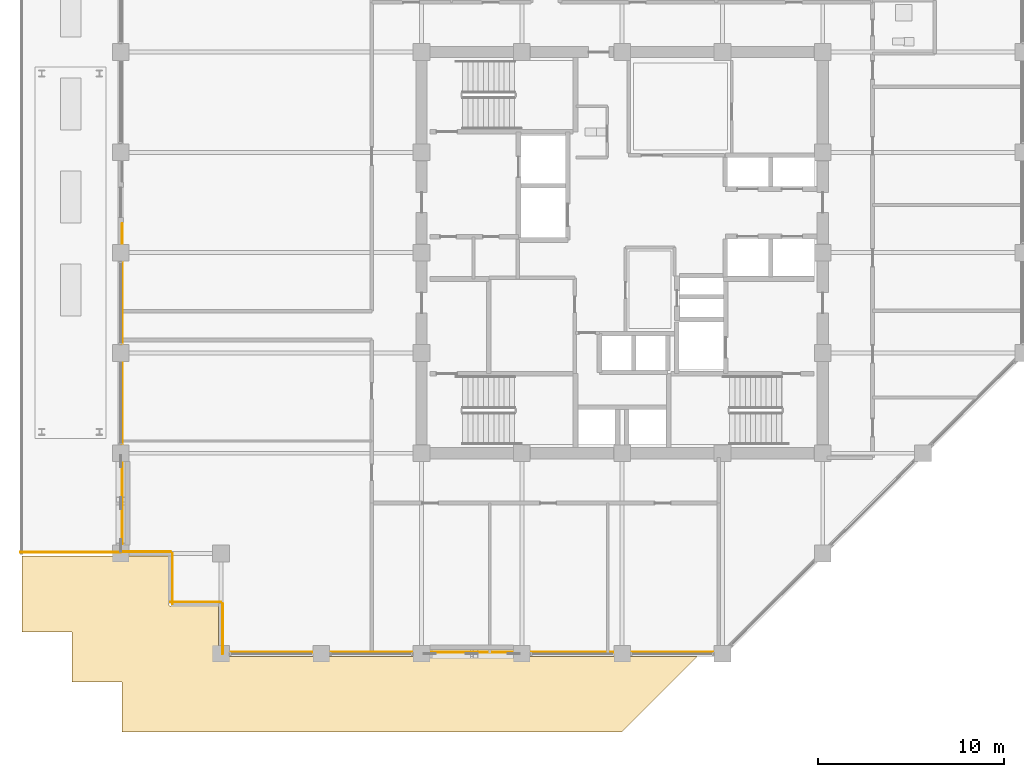
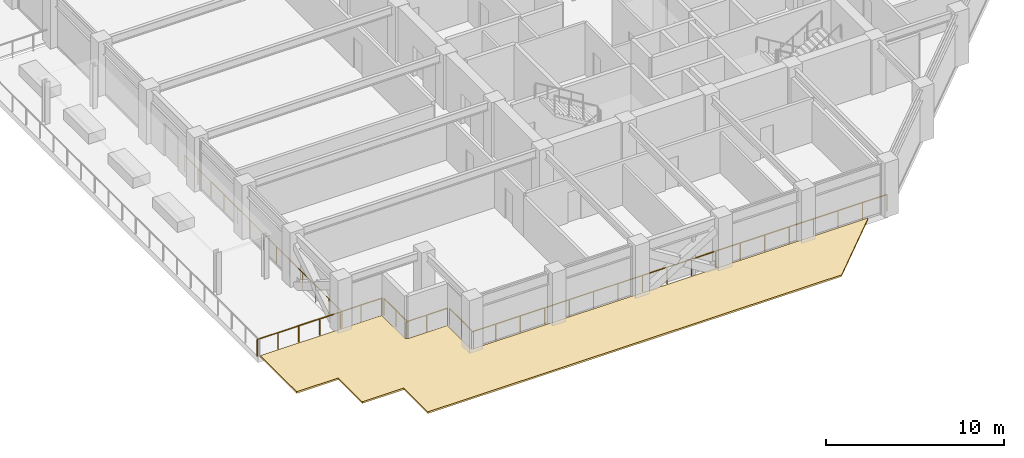
# One storey, part 29 of 36: 7 railings, 1 covering.
"""IFC4 building model written with IfcOpenShell, lengths in metres."""

from ifc_helpers import new_model, si_unit, direction, frame, origin, origin_2d, place, context, subcontext, project, spatial, polyline, circle, outline, extrude, material, layer, layer_set, type_object, element, save


model = new_model("IFC4")

# Units and contexts
model_context = context("Model", 3, precision=1e-05, world=origin(), true_north=direction((0.0, 1.0)))
body_context = subcontext(model_context, "Body", "Model", "MODEL_VIEW")
ifc_project = project(units=[si_unit("LENGTHUNIT", "METRE"), si_unit("AREAUNIT", "SQUARE_METRE"), si_unit("VOLUMEUNIT", "CUBIC_METRE"), si_unit("PLANEANGLEUNIT", "RADIAN"), si_unit("MASSUNIT", "GRAM", prefix="KILO")], contexts=[model_context])

# Site, building, storey
site_placement = place(None, origin())
site = spatial("IfcSite", under=ifc_project, at=site_placement, CompositionType="ELEMENT")
building_placement = place(site_placement, origin())
building = spatial("IfcBuilding", under=site, at=building_placement, Name="Surkhivell Harbour Commons", CompositionType="ELEMENT")
storey_placement = place(building_placement, frame((0.0, 0.0, 171.0)))
storey = spatial("IfcBuildingStorey", under=building, at=storey_placement, Name="L44", CompositionType="ELEMENT", Elevation=171.0)

# Covering
ifc_material_1 = material(Name="Inverted elastomeric waterproofing membrane and rigid insulation", Category="other")
ifc_layer = layer(ifc_material_1, 0.1201171875)
ifc_layer_set = layer_set([ifc_layer], Name="Inverted elastomeric waterproofing membrane and rigid insulation")
covering_type = type_object("IfcCoveringType", Name="COV-ROOF-MEM", PredefinedType="ROOFING", material=ifc_layer_set)
covering_placement = place(storey_placement, origin())
element("IfcCovering", 1, at=covering_placement, inside=storey, type_object=covering_type, Name="L44 Setback Waterproofing Roof Membrane 1-1", PredefinedType="ROOFING", context=body_context, shape_type="SweptSolid", body=[
    extrude(outline(polyline([(-0.033203125, -25.820068359375), (4.056884765625, -21.72998046875), (-21.60205078125, -21.72998046875), (-21.61279296875, -21.7294921875), (-21.62548828125, -21.7275390625), (-21.6376953125, -21.724609375), (-21.64990234375, -21.72021484375), (-21.661376953125, -21.714599609375), (-21.67236328125, -21.708251953125), (-21.6826171875, -21.70068359375), (-21.69189453125, -21.69189453125), (-21.70068359375, -21.6826171875), (-21.708251953125, -21.67236328125), (-21.714599609375, -21.661376953125), (-21.72021484375, -21.64990234375), (-21.724609375, -21.6376953125), (-21.7275390625, -21.62548828125), (-21.7294921875, -21.61279296875), (-21.72998046875, -21.60205078125), (-21.72998046875, -19.030029296875), (-24.302001953125, -19.030029296875), (-24.312744140625, -19.029541015625), (-24.325439453125, -19.027587890625), (-24.337890625, -19.0244140625), (-24.349853515625, -19.020263671875), (-24.361328125, -19.0146484375), (-24.372314453125, -19.00830078125), (-24.382568359375, -19.00048828125), (-24.39208984375, -18.991943359375), (-24.400634765625, -18.982421875), (-24.408203125, -18.972412109375), (-24.414794921875, -18.961181640625), (-24.420166015625, -18.94970703125), (-24.424560546875, -18.937744140625), (-24.427490234375, -18.92529296875), (-24.429443359375, -18.912841796875), (-24.429931640625, -18.902099609375), (-24.429931640625, -16.330078125), (-32.320068359375, -16.330078125), (-32.320068359375, -20.419921875), (-29.6201171875, -20.419921875), (-29.6201171875, -23.1201171875), (-26.919921875, -23.1201171875), (-26.919921875, -25.820068359375), (-0.033203125, -25.820068359375)])), origin(), (0.0, 0.0, 1.0), 0.1201171875),
])

# Railings
ifc_material_2 = material(Name="Laminated safety glass and stainless steel S355 balustrade", Category="steel")
railing_type = type_object("IfcRailingType", Name="RAL-BAL-1150", PredefinedType="BALUSTRADE", material=ifc_material_2)
railing_1_placement = place(storey_placement, frame((-21.60009765625, -21.510009765625, 0.0)))
element("IfcRailing", 2, at=railing_1_placement, inside=storey, type_object=railing_type, Name="L44 Perimeter Safety Guard 01", PredefinedType="BALUSTRADE", context=body_context, shape_type="SweptSolid", body=[
    extrude(circle(Radius=0.02392578125, at=origin_2d()), frame((0.0, 0.0, 1.1259765625), z_axis=(1.0, 0.0, 0.0), x_axis=(0.0, 1.0, 0.0)), (0.0, 0.0, 1.0), 27.0),
    extrude(circle(Radius=0.02099609375, at=origin_2d()), origin(), (0.0, 0.0, 1.0), 1.101806640625),
    extrude(circle(Radius=0.02099609375, at=origin_2d()), frame((1.588134765625, 0.0, 0.0)), (0.0, 0.0, 1.0), 1.101806640625),
    extrude(circle(Radius=0.02099609375, at=origin_2d()), frame((3.176513671875, 0.0, 0.0)), (0.0, 0.0, 1.0), 1.101806640625),
    extrude(circle(Radius=0.02099609375, at=origin_2d()), frame((4.7646484375, 0.0, 0.0)), (0.0, 0.0, 1.0), 1.101806640625),
    extrude(circle(Radius=0.02099609375, at=origin_2d()), frame((6.35302734375, 0.0, 0.0)), (0.0, 0.0, 1.0), 1.101806640625),
    extrude(circle(Radius=0.02099609375, at=origin_2d()), frame((7.941162109375, 0.0, 0.0)), (0.0, 0.0, 1.0), 1.101806640625),
    extrude(circle(Radius=0.02099609375, at=origin_2d()), frame((9.529296875, 0.0, 0.0)), (0.0, 0.0, 1.0), 1.101806640625),
    extrude(circle(Radius=0.02099609375, at=origin_2d()), frame((11.11767578125, 0.0, 0.0)), (0.0, 0.0, 1.0), 1.101806640625),
    extrude(circle(Radius=0.02099609375, at=origin_2d()), frame((12.705810546875, 0.0, 0.0)), (0.0, 0.0, 1.0), 1.101806640625),
    extrude(circle(Radius=0.02099609375, at=origin_2d()), frame((14.294189453125, 0.0, 0.0)), (0.0, 0.0, 1.0), 1.101806640625),
    extrude(circle(Radius=0.02099609375, at=origin_2d()), frame((15.88232421875, 0.0, 0.0)), (0.0, 0.0, 1.0), 1.101806640625),
    extrude(circle(Radius=0.02099609375, at=origin_2d()), frame((17.470703125, 0.0, 0.0)), (0.0, 0.0, 1.0), 1.101806640625),
    extrude(circle(Radius=0.02099609375, at=origin_2d()), frame((19.058837890625, 0.0, 0.0)), (0.0, 0.0, 1.0), 1.101806640625),
    extrude(circle(Radius=0.02099609375, at=origin_2d()), frame((20.64697265625, 0.0, 0.0)), (0.0, 0.0, 1.0), 1.101806640625),
    extrude(circle(Radius=0.02099609375, at=origin_2d()), frame((22.2353515625, 0.0, 0.0)), (0.0, 0.0, 1.0), 1.101806640625),
    extrude(circle(Radius=0.02099609375, at=origin_2d()), frame((23.823486328125, 0.0, 0.0)), (0.0, 0.0, 1.0), 1.101806640625),
    extrude(circle(Radius=0.02099609375, at=origin_2d()), frame((25.411865234375, 0.0, 0.0)), (0.0, 0.0, 1.0), 1.101806640625),
    extrude(circle(Radius=0.02099609375, at=origin_2d()), frame((27.0, 0.0, 0.0)), (0.0, 0.0, 1.0), 1.101806640625),
])
railing_2_placement = place(storey_placement, frame((-26.909912109375, -16.14990234375, 0.0)))
element("IfcRailing", 3, at=railing_2_placement, inside=storey, type_object=railing_type, Name="L44 Perimeter Safety Guard 13A", PredefinedType="BALUSTRADE", context=body_context, shape_type="SweptSolid", body=[
    extrude(circle(Radius=0.02392578125, at=origin_2d()), frame((0.0, 0.0, 1.1259765625), z_axis=(0.0, 1.0, 0.0), x_axis=(-1.0, 0.0, 0.0)), (0.0, 0.0, 1.0), 17.699951171875),
    extrude(circle(Radius=0.02099609375, at=origin_2d()), origin(), (0.0, 0.0, 1.0), 1.101806640625),
    extrude(circle(Radius=0.02099609375, at=origin_2d()), frame((0.0, 1.47509765625, 0.0)), (0.0, 0.0, 1.0), 1.101806640625),
    extrude(circle(Radius=0.02099609375, at=origin_2d()), frame((0.0, 2.949951171875, 0.0)), (0.0, 0.0, 1.0), 1.101806640625),
    extrude(circle(Radius=0.02099609375, at=origin_2d()), frame((0.0, 4.425048828125, 0.0)), (0.0, 0.0, 1.0), 1.101806640625),
    extrude(circle(Radius=0.02099609375, at=origin_2d()), frame((0.0, 5.89990234375, 0.0)), (0.0, 0.0, 1.0), 1.101806640625),
    extrude(circle(Radius=0.02099609375, at=origin_2d()), frame((0.0, 7.375, 0.0)), (0.0, 0.0, 1.0), 1.101806640625),
    extrude(circle(Radius=0.02099609375, at=origin_2d()), frame((0.0, 8.85009765625, 0.0)), (0.0, 0.0, 1.0), 1.101806640625),
    extrude(circle(Radius=0.02099609375, at=origin_2d()), frame((0.0, 10.324951171875, 0.0)), (0.0, 0.0, 1.0), 1.101806640625),
    extrude(circle(Radius=0.02099609375, at=origin_2d()), frame((0.0, 11.800048828125, 0.0)), (0.0, 0.0, 1.0), 1.101806640625),
    extrude(circle(Radius=0.02099609375, at=origin_2d()), frame((0.0, 13.27490234375, 0.0)), (0.0, 0.0, 1.0), 1.101806640625),
    extrude(circle(Radius=0.02099609375, at=origin_2d()), frame((0.0, 14.75, 0.0)), (0.0, 0.0, 1.0), 1.101806640625),
    extrude(circle(Radius=0.02099609375, at=origin_2d()), frame((0.0, 16.224853515625, 0.0)), (0.0, 0.0, 1.0), 1.101806640625),
    extrude(circle(Radius=0.02099609375, at=origin_2d()), frame((0.0, 17.699951171875, 0.0)), (0.0, 0.0, 1.0), 1.101806640625),
])
railing_3_placement = place(storey_placement, frame((-27.0, -16.110107421875, 0.0)))
element("IfcRailing", 4, at=railing_3_placement, inside=storey, type_object=railing_type, Name="L44 Perimeter Safety Guard 14", PredefinedType="BALUSTRADE", context=body_context, shape_type="SweptSolid", body=[
    extrude(circle(Radius=0.02392578125, at=origin_2d()), frame((0.0, 0.0, 1.1259765625), z_axis=(1.0, 0.0, 0.0), x_axis=(0.0, 1.0, 0.0)), (0.0, 0.0, 1.0), 2.699951171875),
    extrude(circle(Radius=0.02099609375, at=origin_2d()), origin(), (0.0, 0.0, 1.0), 1.101806640625),
    extrude(circle(Radius=0.02099609375, at=origin_2d()), frame((1.35009765625, 0.0, 0.0)), (0.0, 0.0, 1.0), 1.101806640625),
    extrude(circle(Radius=0.02099609375, at=origin_2d()), frame((2.699951171875, 0.0, 0.0)), (0.0, 0.0, 1.0), 1.101806640625),
])
railing_4_placement = place(storey_placement, frame((-24.2099609375, -16.199951171875, 0.0)))
element("IfcRailing", 5, at=railing_4_placement, inside=storey, type_object=railing_type, Name="L44 Perimeter Safety Guard 15", PredefinedType="BALUSTRADE", context=body_context, shape_type="SweptSolid", body=[
    extrude(circle(Radius=0.02392578125, at=origin_2d()), frame((0.0, 0.0, 1.1259765625), z_axis=(0.0, -1.0, 0.0), x_axis=(1.0, 0.0, 0.0)), (0.0, 0.0, 1.0), 2.699951171875),
    extrude(circle(Radius=0.02099609375, at=origin_2d()), origin(), (0.0, 0.0, 1.0), 1.101806640625),
    extrude(circle(Radius=0.02099609375, at=origin_2d()), frame((0.0, -1.35009765625, 0.0)), (0.0, 0.0, 1.0), 1.101806640625),
    extrude(circle(Radius=0.02099609375, at=origin_2d()), frame((0.0, -2.699951171875, 0.0)), (0.0, 0.0, 1.0), 1.101806640625),
])
railing_5_placement = place(storey_placement, frame((-24.300048828125, -18.81005859375, 0.0)))
element("IfcRailing", 6, at=railing_5_placement, inside=storey, type_object=railing_type, Name="L44 Perimeter Safety Guard 16", PredefinedType="BALUSTRADE", context=body_context, shape_type="SweptSolid", body=[
    extrude(circle(Radius=0.02392578125, at=origin_2d()), frame((0.0, 0.0, 1.1259765625), z_axis=(1.0, 0.0, 0.0), x_axis=(0.0, 1.0, 0.0)), (0.0, 0.0, 1.0), 2.699951171875),
    extrude(circle(Radius=0.02099609375, at=origin_2d()), origin(), (0.0, 0.0, 1.0), 1.101806640625),
    extrude(circle(Radius=0.02099609375, at=origin_2d()), frame((1.35009765625, 0.0, 0.0)), (0.0, 0.0, 1.0), 1.101806640625),
    extrude(circle(Radius=0.02099609375, at=origin_2d()), frame((2.699951171875, 0.0, 0.0)), (0.0, 0.0, 1.0), 1.101806640625),
])
railing_6_placement = place(storey_placement, frame((-21.510009765625, -18.89990234375, 0.0)))
element("IfcRailing", 7, at=railing_6_placement, inside=storey, type_object=railing_type, Name="L44 Perimeter Safety Guard 17", PredefinedType="BALUSTRADE", context=body_context, shape_type="SweptSolid", body=[
    extrude(circle(Radius=0.02392578125, at=origin_2d()), frame((0.0, 0.0, 1.1259765625), z_axis=(0.0, -1.0, 0.0), x_axis=(1.0, 0.0, 0.0)), (0.0, 0.0, 1.0), 2.7001953125),
    extrude(circle(Radius=0.02099609375, at=origin_2d()), origin(), (0.0, 0.0, 1.0), 1.101806640625),
    extrude(circle(Radius=0.02099609375, at=origin_2d()), frame((0.0, -1.35009765625, 0.0)), (0.0, 0.0, 1.0), 1.101806640625),
    extrude(circle(Radius=0.02099609375, at=origin_2d()), frame((0.0, -2.7001953125, 0.0)), (0.0, 0.0, 1.0), 1.101806640625),
])
railing_7_placement = place(storey_placement, frame((-32.39990234375, -16.1201171875, 0.0)))
element("IfcRailing", 8, at=railing_7_placement, inside=storey, type_object=railing_type, Name="L44 Sky-Garden Terrace Balustrade 1", PredefinedType="BALUSTRADE", context=body_context, shape_type="SweptSolid", body=[
    extrude(circle(Radius=0.02392578125, at=origin_2d()), frame((0.0, 0.0, 1.1259765625), z_axis=(1.0, 0.0, 0.0), x_axis=(0.0, 1.0, 0.0)), (0.0, 0.0, 1.0), 5.39990234375),
    extrude(circle(Radius=0.02099609375, at=origin_2d()), origin(), (0.0, 0.0, 1.0), 1.101806640625),
    extrude(circle(Radius=0.02099609375, at=origin_2d()), frame((1.35009765625, 0.0, 0.0)), (0.0, 0.0, 1.0), 1.101806640625),
    extrude(circle(Radius=0.02099609375, at=origin_2d()), frame((2.699951171875, 0.0, 0.0)), (0.0, 0.0, 1.0), 1.101806640625),
    extrude(circle(Radius=0.02099609375, at=origin_2d()), frame((4.0498046875, 0.0, 0.0)), (0.0, 0.0, 1.0), 1.101806640625),
    extrude(circle(Radius=0.02099609375, at=origin_2d()), frame((5.39990234375, 0.0, 0.0)), (0.0, 0.0, 1.0), 1.101806640625),
])

save(model, "model.ifc")
